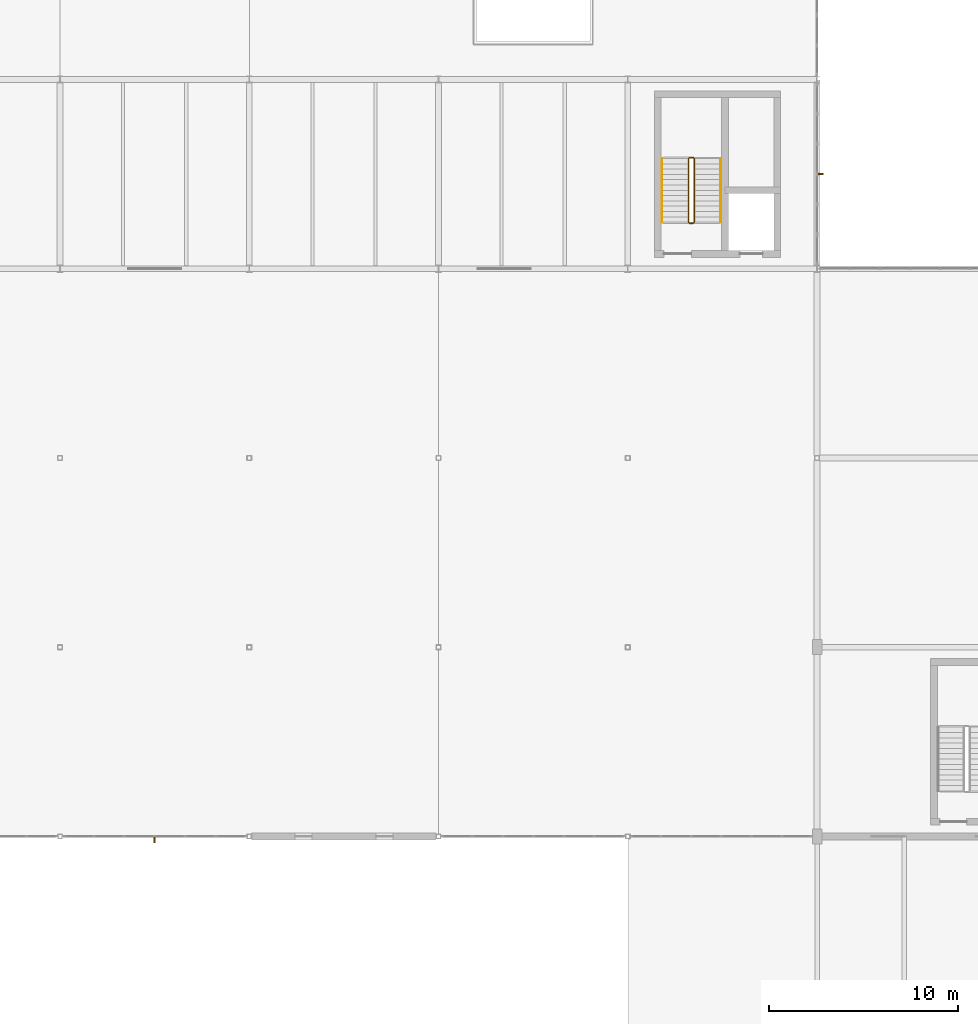
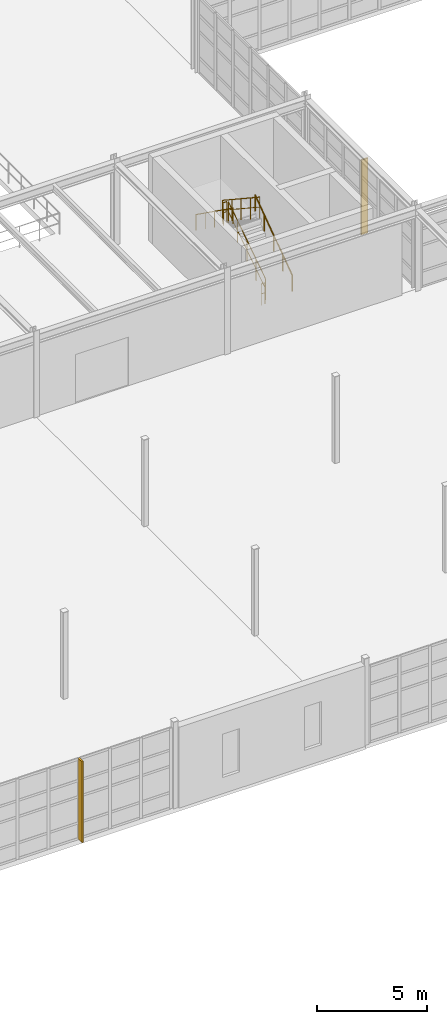
# One storey, part 129 of 139: 6 railings, 2 shading devices.
"""IFC4 building model written with IfcOpenShell, lengths in metres."""

from ifc_helpers import new_model, si_unit, direction, frame, origin, origin_2d, place, context, subcontext, project, spatial, rectangle, circle, extrude, material, type_object, element, save


model = new_model("IFC4")

# Units and contexts
model_context = context("Model", 3, precision=1e-05, world=origin(), true_north=direction((0.0, 1.0)))
body_context = subcontext(model_context, "Body", "Model", "MODEL_VIEW")
ifc_project = project(units=[si_unit("LENGTHUNIT", "METRE"), si_unit("AREAUNIT", "SQUARE_METRE"), si_unit("VOLUMEUNIT", "CUBIC_METRE"), si_unit("PLANEANGLEUNIT", "RADIAN"), si_unit("MASSUNIT", "GRAM", prefix="KILO"), si_unit("THERMODYNAMICTEMPERATUREUNIT", "KELVIN"), si_unit("POWERUNIT", "WATT")], contexts=[model_context])

# Site, building, storey
site_placement = place(None, origin())
site = spatial("IfcSite", under=ifc_project, at=site_placement, CompositionType="ELEMENT")
building_placement = place(site_placement, origin())
building = spatial("IfcBuilding", under=site, at=building_placement, Name="Korenveer Ferry Terminal", CompositionType="ELEMENT")
storey_placement = place(building_placement, frame((0.0, 0.0, 5.39990234375)))
storey = spatial("IfcBuildingStorey", under=building, at=storey_placement, Name="L01", CompositionType="ELEMENT", Elevation=5.39990234375)

# Shading devices
ifc_material_1 = material(Name="Anodised bronze aluminium solar fin", Category="aluminium")
shading_device_type = type_object("IfcShadingDeviceType", Name="ENV-SHD-FIN", PredefinedType="JALOUSIE", material=ifc_material_1)
shading_device_1_placement = place(storey_placement, frame((88.0, 19.840087890625, -0.019775390625), z_axis=(0.0, 0.0, 1.0), x_axis=(0.0, 1.0, 0.0)))
element("IfcShadingDevice", 1, at=shading_device_1_placement, inside=storey, type_object=shading_device_type, Name="Gothic solar fin 18", PredefinedType="JALOUSIE", context=body_context, shape_type="SweptSolid", body=[
    extrude(rectangle(XDim=0.360107421875, YDim=0.080078125, at=origin_2d()), origin(), (0.0, 0.0, 1.0), 4.47998046875),
])
shading_device_2_placement = place(storey_placement, frame((123.159912109375, 55.0, -0.019775390625), z_axis=(0.0, 0.0, 1.0), x_axis=(1.0, 0.0, 0.0)))
element("IfcShadingDevice", 2, at=shading_device_2_placement, inside=storey, type_object=shading_device_type, Name="Gothic solar fin 32", PredefinedType="JALOUSIE", context=body_context, shape_type="SweptSolid", body=[
    extrude(rectangle(XDim=0.360107421875, YDim=0.080078125, at=origin_2d()), origin(), (0.0, 0.0, 1.0), 4.14990234375),
])

# Railings
ifc_material_2 = material(Name="Brushed stainless steel handrail", Category="steel")
railing_type_1 = type_object("IfcRailingType", Name="INT-RL-HND90", PredefinedType="HANDRAIL", material=ifc_material_2)
railing_1_placement = place(storey_placement, frame((117.909912109375, 52.4599609375, 0.184814453125)))
element("IfcRailing", 3, at=railing_1_placement, inside=storey, type_object=railing_type_1, Name="L01 ST06 stair handrail 1", PredefinedType="HANDRAIL", context=body_context, shape_type="SweptSolid", body=[
    extrude(circle(Radius=0.02392578125, at=origin_2d()), frame((0.0, 0.0, 0.8759765625), z_axis=(0.0, 0.813753445783, 0.581210228297), x_axis=(-1.0, 0.0, 0.0)), (0.0, 0.0, 1.0), 4.129150390625),
    extrude(circle(Radius=0.02099609375, at=origin_2d()), origin(), (0.0, 0.0, 1.0), 0.851806640625),
    extrude(circle(Radius=0.02099609375, at=origin_2d()), frame((0.0, 0.840087890625, 0.60009765625)), (0.0, 0.0, 1.0), 0.851806640625),
    extrude(circle(Radius=0.02099609375, at=origin_2d()), frame((0.0, 1.68017578125, 1.199951171875)), (0.0, 0.0, 1.0), 0.851806640625),
    extrude(circle(Radius=0.02099609375, at=origin_2d()), frame((0.0, 2.52001953125, 1.7998046875)), (0.0, 0.0, 1.0), 0.851806640625),
    extrude(circle(Radius=0.02099609375, at=origin_2d()), frame((0.0, 3.360107421875, 2.39990234375)), (0.0, 0.0, 1.0), 0.851806640625),
])
railing_2_placement = place(storey_placement, frame((114.81005859375, 55.820068359375, 2.584716796875)))
element("IfcRailing", 4, at=railing_2_placement, inside=storey, type_object=railing_type_1, Name="L01 ST06 stair handrail 2", PredefinedType="HANDRAIL", context=body_context, shape_type="SweptSolid", body=[
    extrude(circle(Radius=0.02392578125, at=origin_2d()), frame((0.0, 0.0, 0.8759765625), z_axis=(0.0, -0.813753445783, 0.581210228297), x_axis=(1.0, 0.0, 0.0)), (0.0, 0.0, 1.0), 4.129150390625),
    extrude(circle(Radius=0.02099609375, at=origin_2d()), origin(), (0.0, 0.0, 1.0), 0.851806640625),
    extrude(circle(Radius=0.02099609375, at=origin_2d()), frame((0.0, -0.840087890625, 0.60009765625)), (0.0, 0.0, 1.0), 0.851806640625),
    extrude(circle(Radius=0.02099609375, at=origin_2d()), frame((0.0, -1.68017578125, 1.199951171875)), (0.0, 0.0, 1.0), 0.851806640625),
    extrude(circle(Radius=0.02099609375, at=origin_2d()), frame((0.0, -2.52001953125, 1.7998046875)), (0.0, 0.0, 1.0), 0.851806640625),
    extrude(circle(Radius=0.02099609375, at=origin_2d()), frame((0.0, -3.360107421875, 2.39990234375)), (0.0, 0.0, 1.0), 0.851806640625),
])
ifc_material_3 = material(Name="Painted steel stair guard", Category="steel")
railing_type_2 = type_object("IfcRailingType", Name="INT-RL-STGRD", PredefinedType="GUARDRAIL", material=ifc_material_3)
railing_3_placement = place(storey_placement, frame((116.510009765625, 52.4599609375, 0.184814453125)))
element("IfcRailing", 5, at=railing_3_placement, inside=storey, type_object=railing_type_2, Name="L01 ST06 stair guard 1", PredefinedType="GUARDRAIL", context=body_context, shape_type="SweptSolid", body=[
    extrude(circle(Radius=0.02392578125, at=origin_2d()), frame((0.0, 0.0, 1.17578125), z_axis=(0.0, 0.834876476806, 0.550437342915), x_axis=(-1.0, 0.0, 0.0)), (0.0, 0.0, 1.0), 4.024658203125),
    extrude(circle(Radius=0.01806640625, at=origin_2d()), frame((0.0, 0.0, 0.6240234375), z_axis=(0.0, 0.834876476806, 0.550437342915), x_axis=(-1.0, 0.0, 0.0)), (0.0, 0.0, 1.0), 4.024658203125),
    extrude(circle(Radius=0.02099609375, at=origin_2d()), origin(), (0.0, 0.0, 1.0), 1.15185546875),
    extrude(circle(Radius=0.02099609375, at=origin_2d()), frame((0.0, 0.840087890625, 0.5537109375)), (0.0, 0.0, 1.0), 1.15185546875),
    extrude(circle(Radius=0.02099609375, at=origin_2d()), frame((0.0, 1.68017578125, 1.107666015625)), (0.0, 0.0, 1.0), 1.15185546875),
    extrude(circle(Radius=0.02099609375, at=origin_2d()), frame((0.0, 2.52001953125, 1.66162109375)), (0.0, 0.0, 1.0), 1.15185546875),
    extrude(circle(Radius=0.02099609375, at=origin_2d()), frame((0.0, 3.360107421875, 2.21533203125)), (0.0, 0.0, 1.0), 1.15185546875),
])
railing_4_placement = place(storey_placement, frame((116.4599609375, 55.8701171875, 2.400146484375)))
element("IfcRailing", 6, at=railing_4_placement, inside=storey, type_object=railing_type_2, Name="L01 ST06 stair guard 2", PredefinedType="GUARDRAIL", context=body_context, shape_type="SweptSolid", body=[
    extrude(circle(Radius=0.02392578125, at=origin_2d()), frame((0.0, 0.0, 1.17578125), z_axis=(-1.0, 0.0, 0.0), x_axis=(0.0, -1.0, 0.0)), (0.0, 0.0, 1.0), 0.199951171875),
    extrude(circle(Radius=0.01806640625, at=origin_2d()), frame((0.0, 0.0, 0.6240234375), z_axis=(-1.0, 0.0, 0.0), x_axis=(0.0, -1.0, 0.0)), (0.0, 0.0, 1.0), 0.199951171875),
    extrude(circle(Radius=0.02099609375, at=origin_2d()), origin(), (0.0, 0.0, 1.0), 1.15185546875),
    extrude(circle(Radius=0.02099609375, at=origin_2d()), frame((-0.199951171875, 0.0, 0.0)), (0.0, 0.0, 1.0), 1.15185546875),
])
railing_5_placement = place(storey_placement, frame((116.2099609375, 55.820068359375, 2.584716796875)))
element("IfcRailing", 7, at=railing_5_placement, inside=storey, type_object=railing_type_2, Name="L01 ST06 stair guard 3", PredefinedType="GUARDRAIL", context=body_context, shape_type="SweptSolid", body=[
    extrude(circle(Radius=0.02392578125, at=origin_2d()), frame((0.0, 0.0, 1.17578125), z_axis=(0.0, -0.834876476806, 0.550437342915), x_axis=(1.0, 0.0, 0.0)), (0.0, 0.0, 1.0), 4.024658203125),
    extrude(circle(Radius=0.01806640625, at=origin_2d()), frame((0.0, 0.0, 0.6240234375), z_axis=(0.0, -0.834876476806, 0.550437342915), x_axis=(1.0, 0.0, 0.0)), (0.0, 0.0, 1.0), 4.024658203125),
    extrude(circle(Radius=0.02099609375, at=origin_2d()), origin(), (0.0, 0.0, 1.0), 1.15185546875),
    extrude(circle(Radius=0.02099609375, at=origin_2d()), frame((0.0, -0.840087890625, 0.5537109375)), (0.0, 0.0, 1.0), 1.15185546875),
    extrude(circle(Radius=0.02099609375, at=origin_2d()), frame((0.0, -1.68017578125, 1.107666015625)), (0.0, 0.0, 1.0), 1.15185546875),
    extrude(circle(Radius=0.02099609375, at=origin_2d()), frame((0.0, -2.52001953125, 1.66162109375)), (0.0, 0.0, 1.0), 1.15185546875),
    extrude(circle(Radius=0.02099609375, at=origin_2d()), frame((0.0, -3.360107421875, 2.21533203125)), (0.0, 0.0, 1.0), 1.15185546875),
])
railing_6_placement = place(storey_placement, frame((116.4599609375, 52.409912109375, 0.0)))
element("IfcRailing", 8, at=railing_6_placement, inside=storey, type_object=railing_type_2, Name="L01 ST06 stair guard 4", PredefinedType="GUARDRAIL", context=body_context, shape_type="SweptSolid", body=[
    extrude(circle(Radius=0.02392578125, at=origin_2d()), frame((0.0, 0.0, 1.17578125), z_axis=(-1.0, 0.0, 0.0), x_axis=(0.0, -1.0, 0.0)), (0.0, 0.0, 1.0), 0.199951171875),
    extrude(circle(Radius=0.01806640625, at=origin_2d()), frame((0.0, 0.0, 0.6240234375), z_axis=(-1.0, 0.0, 0.0), x_axis=(0.0, -1.0, 0.0)), (0.0, 0.0, 1.0), 0.199951171875),
    extrude(circle(Radius=0.02099609375, at=origin_2d()), origin(), (0.0, 0.0, 1.0), 1.15185546875),
    extrude(circle(Radius=0.02099609375, at=origin_2d()), frame((-0.199951171875, 0.0, 0.0)), (0.0, 0.0, 1.0), 1.15185546875),
])

save(model, "model.ifc")
